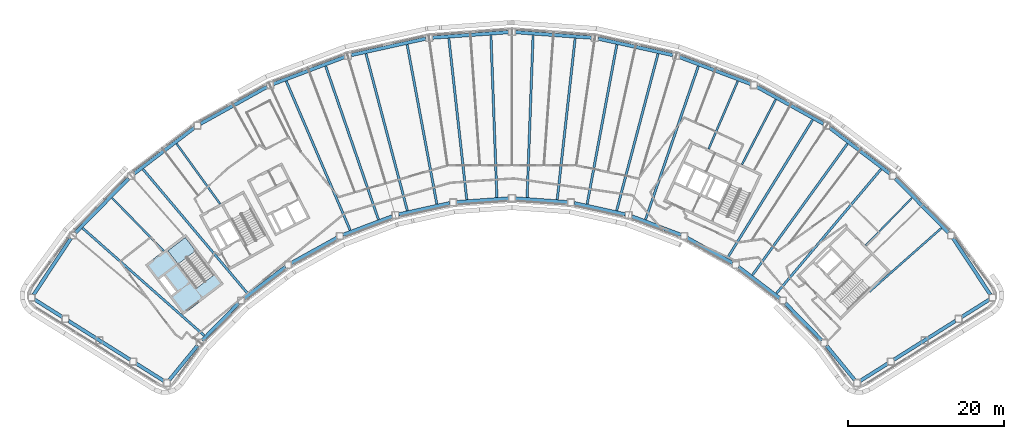
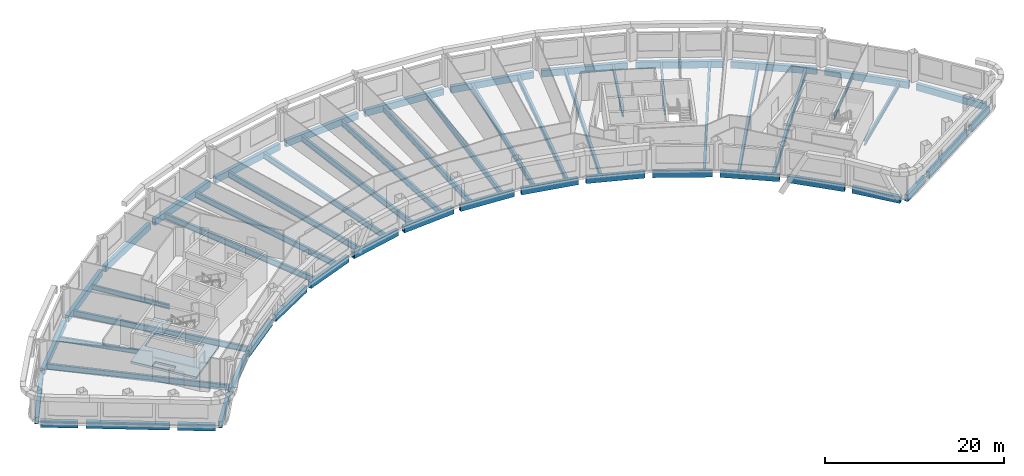
# One storey, part 3 of 14: 56 beams, 2 slabs, 1 element without a shape of its own.
"""IFC4 building model written with IfcOpenShell, lengths in metres."""

from ifc_helpers import new_model, si_unit, direction, frame, origin, origin_2d, place, context, subcontext, project, spatial, polyline, hollow_rectangle, i_section, outline, extrude, material, layer, layer_set, material_profile, profile_set, type_object, element, aggregate, save


model = new_model("IFC4")

# Units and contexts
model_context = context("Model", 3, precision=1e-05, world=origin(), true_north=direction((0.0, 1.0)))
body_context = subcontext(model_context, "Body", "Model", "MODEL_VIEW")
ifc_project = project(units=[si_unit("LENGTHUNIT", "METRE"), si_unit("AREAUNIT", "SQUARE_METRE"), si_unit("VOLUMEUNIT", "CUBIC_METRE"), si_unit("PLANEANGLEUNIT", "RADIAN"), si_unit("MASSUNIT", "GRAM", prefix="KILO")], contexts=[model_context])

# Site, building, storey
site_placement = place(None, origin())
site = spatial("IfcSite", under=ifc_project, at=site_placement, CompositionType="ELEMENT")
building_placement = place(site_placement, origin())
building = spatial("IfcBuilding", under=site, at=building_placement, Name="Tuul Gate Civic Tower", CompositionType="ELEMENT")
storey_placement = place(building_placement, frame((0.0, 0.0, 213.699951171875)))
storey = spatial("IfcBuildingStorey", under=building, at=storey_placement, Name="Level 48", CompositionType="ELEMENT", Elevation=213.699951171875)

# Beams
ifc_material_1 = material(Name="Steel S355", Category="steel")
ifc_material_profile_1 = material_profile(ifc_material_1, i_section(OverallWidth=0.199951171875, OverallDepth=0.5, WebThickness=0.010009765625, FlangeThickness=0.01611328125, at=origin_2d()), Name="PG500x200x10x16")
ifc_profile_set_1 = profile_set([ifc_material_profile_1], Name="Steel S355")
beam_type_1 = type_object("IfcBeamType", Name="STR-FLOOR BEAM-PG500x200x10x16", PredefinedType="BEAM", material=ifc_profile_set_1)
beam_1_placement = place(storey_placement, frame((51.3310546875, -8.854248046875, -0.550048828125), z_axis=(0.698691017766, 0.715423554052, 0.0), x_axis=(-0.715423554052, 0.698691017766, 0.0)))
element("IfcBeam", 1, at=beam_1_placement, inside=storey, type_object=beam_type_1, Name="Floor beam", PredefinedType="BEAM", context=body_context, shape_type="SweptSolid", body=[
    extrude(i_section(OverallWidth=0.199951171875, OverallDepth=0.5, WebThickness=0.010009765625, FlangeThickness=0.01611328125, at=origin_2d()), origin(), (0.0, 0.0, 1.0), 8.50634765625),
])
ifc_material_2 = material(Name="Steel S355", Category="steel")
ifc_material_profile_2 = material_profile(ifc_material_2, i_section(OverallWidth=0.25, OverallDepth=0.64990234375, WebThickness=0.011962890625, FlangeThickness=0.02001953125, at=origin_2d()), Name="PG650x250x12x20")
ifc_profile_set_2 = profile_set([ifc_material_profile_2], Name="Steel S355")
beam_type_2 = type_object("IfcBeamType", Name="STR-FLOOR BEAM-PG650x250x12x20", PredefinedType="BEAM", material=ifc_profile_set_2)
beam_2_placement = place(storey_placement, frame((51.833740234375, -14.790771484375, -0.625), z_axis=(0.749448461943, 0.662062688037, 0.0), x_axis=(-0.662062688037, 0.749448461943, 0.0)))
element("IfcBeam", 2, at=beam_2_placement, inside=storey, type_object=beam_type_2, Name="Floor beam", PredefinedType="BEAM", context=body_context, shape_type="SweptSolid", body=[
    extrude(i_section(OverallWidth=0.25, OverallDepth=0.64990234375, WebThickness=0.011962890625, FlangeThickness=0.02001953125, at=origin_2d()), origin(), (0.0, 0.0, 1.0), 12.31787109375),
])
beam_3_placement = place(storey_placement, frame((35.4609375, 1.528564453125, -0.625), z_axis=(0.460792486789, 0.887507906511, 0.0), x_axis=(-0.887507906511, 0.460792486789, 0.0)))
element("IfcBeam", 3, at=beam_3_placement, inside=storey, type_object=beam_type_2, Name="Floor beam", PredefinedType="BEAM", context=body_context, shape_type="SweptSolid", body=[
    extrude(i_section(OverallWidth=0.25, OverallDepth=0.64990234375, WebThickness=0.011962890625, FlangeThickness=0.02001953125, at=origin_2d()), origin(), (0.0, 0.0, 1.0), 9.4140625),
])
beam_4_placement = place(storey_placement, frame((31.184814453125, 3.5224609375, -0.625), z_axis=(0.394202008704, 0.919023817066, 0.0), x_axis=(-0.919023817066, 0.394202008704, 0.0)))
element("IfcBeam", 4, at=beam_4_placement, inside=storey, type_object=beam_type_2, Name="Floor beam", PredefinedType="BEAM", context=body_context, shape_type="SweptSolid", body=[
    extrude(i_section(OverallWidth=0.25, OverallDepth=0.64990234375, WebThickness=0.011962890625, FlangeThickness=0.02001953125, at=origin_2d()), origin(), (0.0, 0.0, 1.0), 9.48388671875),
])
beam_5_placement = place(storey_placement, frame((-31.535888671875, -3.523193359375, -0.625), z_axis=(-0.586084023539, 0.810250280686, 0.0), x_axis=(-0.810250280686, -0.586084023539, 0.0)))
element("IfcBeam", 5, at=beam_5_placement, inside=storey, type_object=beam_type_2, Name="Floor beam", PredefinedType="BEAM", context=body_context, shape_type="SweptSolid", body=[
    extrude(i_section(OverallWidth=0.25, OverallDepth=0.64990234375, WebThickness=0.011962890625, FlangeThickness=0.02001953125, at=origin_2d()), origin(), (0.0, 0.0, 1.0), 9.53515625),
])
beam_6_placement = place(storey_placement, frame((-38.757568359375, -9.564697265625, -0.625), z_axis=(-0.698678959674, 0.715435329928, 0.0), x_axis=(-0.715435329928, -0.698678959674, 0.0)))
element("IfcBeam", 6, at=beam_6_placement, inside=storey, type_object=beam_type_2, Name="Floor beam", PredefinedType="BEAM", context=body_context, shape_type="SweptSolid", body=[
    extrude(i_section(OverallWidth=0.25, OverallDepth=0.64990234375, WebThickness=0.011962890625, FlangeThickness=0.02001953125, at=origin_2d()), origin(), (0.0, 0.0, 1.0), 9.499755859375),
])
ifc_material_3 = material(Name="Steel S355", Category="steel")
ifc_material_profile_3 = material_profile(ifc_material_3, i_section(OverallWidth=0.300048828125, OverallDepth=0.800048828125, WebThickness=0.013916015625, FlangeThickness=0.02490234375, at=origin_2d()), Name="PG800x300x14x25")
ifc_profile_set_3 = profile_set([ifc_material_profile_3], Name="Steel S355")
beam_type_3 = type_object("IfcBeamType", Name="STR-FLOOR BEAM-PG800x300x14x25", PredefinedType="BEAM", material=ifc_profile_set_3)
beam_7_placement = place(storey_placement, frame((39.8974609375, -15.008056640625, -0.699951171875), z_axis=(0.644132135775, 0.764914238109, 0.0), x_axis=(-0.764914238109, 0.644132135775, 0.0)))
element("IfcBeam", 7, at=beam_7_placement, inside=storey, type_object=beam_type_3, Name="Floor beam", PredefinedType="BEAM", context=body_context, shape_type="SweptSolid", body=[
    extrude(i_section(OverallWidth=0.300048828125, OverallDepth=0.800048828125, WebThickness=0.013916015625, FlangeThickness=0.02490234375, at=origin_2d()), origin(), (0.0, 0.0, 1.0), 20.82568359375),
])
beam_8_placement = place(storey_placement, frame((36.80908203125, -12.656494140625, -0.699951171875), z_axis=(0.586087172263, 0.810248003089, 0.0), x_axis=(-0.810248003089, 0.586087172263, 0.0)))
element("IfcBeam", 8, at=beam_8_placement, inside=storey, type_object=beam_type_3, Name="Floor beam", PredefinedType="BEAM", context=body_context, shape_type="SweptSolid", body=[
    extrude(i_section(OverallWidth=0.300048828125, OverallDepth=0.800048828125, WebThickness=0.013916015625, FlangeThickness=0.02490234375, at=origin_2d()), origin(), (0.0, 0.0, 1.0), 20.806884765625),
])
beam_9_placement = place(storey_placement, frame((33.605712890625, -10.46533203125, -0.699951171875), z_axis=(0.524856706834, 0.851190599861, 0.0), x_axis=(-0.851190599861, 0.524856706834, 0.0)))
element("IfcBeam", 9, at=beam_9_placement, inside=storey, type_object=beam_type_3, Name="Floor beam", PredefinedType="BEAM", context=body_context, shape_type="SweptSolid", body=[
    extrude(i_section(OverallWidth=0.300048828125, OverallDepth=0.800048828125, WebThickness=0.013916015625, FlangeThickness=0.02490234375, at=origin_2d()), origin(), (0.0, 0.0, 1.0), 20.82275390625),
])
beam_10_placement = place(storey_placement, frame((23.0859375, -5.52294921875, -0.699951171875), z_axis=(0.325486974479, 0.945546524209, 0.0), x_axis=(-0.945546524209, 0.325486974479, 0.0)))
element("IfcBeam", 10, at=beam_10_placement, inside=storey, type_object=beam_type_3, Name="Floor beam", PredefinedType="BEAM", context=body_context, shape_type="SweptSolid", body=[
    extrude(i_section(OverallWidth=0.300048828125, OverallDepth=0.800048828125, WebThickness=0.013916015625, FlangeThickness=0.02490234375, at=origin_2d()), origin(), (0.0, 0.0, 1.0), 20.809326171875),
])
beam_11_placement = place(storey_placement, frame((19.37841796875, -4.3759765625, -0.699951171875), z_axis=(0.255007612054, 0.966939045542, 0.0), x_axis=(-0.966939045542, 0.255007612054, 0.0)))
element("IfcBeam", 11, at=beam_11_placement, inside=storey, type_object=beam_type_3, Name="Floor beam", PredefinedType="BEAM", context=body_context, shape_type="SweptSolid", body=[
    extrude(i_section(OverallWidth=0.300048828125, OverallDepth=0.800048828125, WebThickness=0.013916015625, FlangeThickness=0.02490234375, at=origin_2d()), origin(), (0.0, 0.0, 1.0), 20.8173828125),
])
beam_12_placement = place(storey_placement, frame((15.58837890625, -3.540771484375, -0.699951171875), z_axis=(0.1831360046, 0.983087587054, 0.0), x_axis=(-0.983087587054, 0.1831360046, 0.0)))
element("IfcBeam", 12, at=beam_12_placement, inside=storey, type_object=beam_type_3, Name="Floor beam", PredefinedType="BEAM", context=body_context, shape_type="SweptSolid", body=[
    extrude(i_section(OverallWidth=0.300048828125, OverallDepth=0.800048828125, WebThickness=0.013916015625, FlangeThickness=0.02490234375, at=origin_2d()), origin(), (0.0, 0.0, 1.0), 20.811279296875),
])
beam_13_placement = place(storey_placement, frame((11.7509765625, -2.960693359375, -0.699951171875), z_axis=(0.110288630292, 0.993899601584, 0.0), x_axis=(-0.993899601584, 0.110288630292, 0.0)))
element("IfcBeam", 13, at=beam_13_placement, inside=storey, type_object=beam_type_3, Name="Floor beam", PredefinedType="BEAM", context=body_context, shape_type="SweptSolid", body=[
    extrude(i_section(OverallWidth=0.300048828125, OverallDepth=0.800048828125, WebThickness=0.013916015625, FlangeThickness=0.02490234375, at=origin_2d()), origin(), (0.0, 0.0, 1.0), 20.81494140625),
])
for number, where, z_axis, x_axis, name in (
    (14, (7.880126953125, -2.679931640625, -0.699951171875), (0.036833774102, 0.999321406298, 0.0), (-0.999321406298, 0.036833774102, 0.0), "Floor beam"),
    (15, (3.99951171875, -2.679931640625, -0.699951171875), (-0.036833774102, 0.999321406298, 0.0), (-0.999321406298, -0.036833774102, 0.0), "Floor beam"),
):
    element("IfcBeam", number, at=place(storey_placement, frame(where, z_axis=z_axis, x_axis=x_axis)), inside=storey, type_object=beam_type_3, Name=name, PredefinedType="BEAM", context=body_context, shape_type="SweptSolid", body=[
        extrude(i_section(OverallWidth=0.300048828125, OverallDepth=0.800048828125, WebThickness=0.013916015625, FlangeThickness=0.02490234375, at=origin_2d()), origin(), (0.0, 0.0, 1.0), 20.8125),
    ])
beam_14_placement = place(storey_placement, frame((0.128662109375, -2.960693359375, -0.699951171875), z_axis=(-0.110287344613, 0.993899744249, 0.0), x_axis=(-0.993899744249, -0.110287344613, 0.0)))
element("IfcBeam", 16, at=beam_14_placement, inside=storey, type_object=beam_type_3, Name="Floor beam", PredefinedType="BEAM", context=body_context, shape_type="SweptSolid", body=[
    extrude(i_section(OverallWidth=0.300048828125, OverallDepth=0.800048828125, WebThickness=0.013916015625, FlangeThickness=0.02490234375, at=origin_2d()), origin(), (0.0, 0.0, 1.0), 20.815185546875),
])
beam_15_placement = place(storey_placement, frame((-3.708740234375, -3.540771484375, -0.699951171875), z_axis=(-0.183133892551, 0.983087980498, 0.0), x_axis=(-0.983087980498, -0.183133892551, 0.0)))
element("IfcBeam", 17, at=beam_15_placement, inside=storey, type_object=beam_type_3, Name="Floor beam", PredefinedType="BEAM", context=body_context, shape_type="SweptSolid", body=[
    extrude(i_section(OverallWidth=0.300048828125, OverallDepth=0.800048828125, WebThickness=0.013916015625, FlangeThickness=0.02490234375, at=origin_2d()), origin(), (0.0, 0.0, 1.0), 20.8115234375),
])
beam_16_placement = place(storey_placement, frame((-7.498779296875, -4.3759765625, -0.699951171875), z_axis=(-0.255004720301, 0.96693980817, 0.0), x_axis=(-0.96693980817, -0.255004720301, 0.0)))
element("IfcBeam", 18, at=beam_16_placement, inside=storey, type_object=beam_type_3, Name="Floor beam", PredefinedType="BEAM", context=body_context, shape_type="SweptSolid", body=[
    extrude(i_section(OverallWidth=0.300048828125, OverallDepth=0.800048828125, WebThickness=0.013916015625, FlangeThickness=0.02490234375, at=origin_2d()), origin(), (0.0, 0.0, 1.0), 20.817626953125),
])
beam_17_placement = place(storey_placement, frame((-11.20654296875, -5.522705078125, -0.699951171875), z_axis=(-0.325476485131, 0.945550134909, 0.0), x_axis=(-0.945550134909, -0.325476485131, 0.0)))
element("IfcBeam", 19, at=beam_17_placement, inside=storey, type_object=beam_type_3, Name="Floor beam", PredefinedType="BEAM", context=body_context, shape_type="SweptSolid", body=[
    extrude(i_section(OverallWidth=0.300048828125, OverallDepth=0.800048828125, WebThickness=0.013916015625, FlangeThickness=0.02490234375, at=origin_2d()), origin(), (0.0, 0.0, 1.0), 20.809326171875),
])
beam_18_placement = place(storey_placement, frame((-14.836669921875, -6.895263671875, -0.699951171875), z_axis=(-0.394196672068, 0.91902610612, 0.0), x_axis=(-0.91902610612, -0.394196672068, 0.0)))
element("IfcBeam", 20, at=beam_18_placement, inside=storey, type_object=beam_type_3, Name="Floor beam", PredefinedType="BEAM", context=body_context, shape_type="SweptSolid", body=[
    extrude(i_section(OverallWidth=0.300048828125, OverallDepth=0.800048828125, WebThickness=0.013916015625, FlangeThickness=0.02490234375, at=origin_2d()), origin(), (0.0, 0.0, 1.0), 20.819580078125),
])
beam_19_placement = place(storey_placement, frame((-28.017822265625, -15.0078125, -0.699951171875), z_axis=(-0.644126359816, 0.764919101991, 0.0), x_axis=(-0.764919101991, -0.644126359816, 0.0)))
element("IfcBeam", 21, at=beam_19_placement, inside=storey, type_object=beam_type_3, Name="Floor beam", PredefinedType="BEAM", context=body_context, shape_type="SweptSolid", body=[
    extrude(i_section(OverallWidth=0.300048828125, OverallDepth=0.800048828125, WebThickness=0.013916015625, FlangeThickness=0.02490234375, at=origin_2d()), origin(), (0.0, 0.0, 1.0), 20.825927734375),
])
beam_20_placement = place(storey_placement, frame((-33.57568359375, -20.42529296875, -0.699951171875), z_axis=(-0.749447427269, 0.662063859277, 0.0), x_axis=(-0.662063859277, -0.749447427269, 0.0)))
element("IfcBeam", 22, at=beam_20_placement, inside=storey, type_object=beam_type_3, Name="Floor beam", PredefinedType="BEAM", context=body_context, shape_type="SweptSolid", body=[
    extrude(i_section(OverallWidth=0.300048828125, OverallDepth=0.800048828125, WebThickness=0.013916015625, FlangeThickness=0.02490234375, at=origin_2d()), origin(), (0.0, 0.0, 1.0), 20.82861328125),
])
ifc_material_4 = material(Name="Steel S355", Category="steel")
ifc_material_profile_4 = material_profile(ifc_material_4, hollow_rectangle(XDim=0.449951171875, YDim=0.89990234375, WallThickness=0.02490234375, at=origin_2d()), Name="BOX900x450x25")
ifc_profile_set_4 = profile_set([ifc_material_profile_4], Name="Steel S355")
beam_type_4 = type_object("IfcBeamType", Name="STR-SPANDREL BEAM-BOX900x450x25", PredefinedType="BEAM", material=ifc_profile_set_4)
beam_21_placement = place(storey_placement, frame((67.36279296875, -15.187744140625, -0.75), z_axis=(-0.551583824499, 0.834119466594, 0.0), x_axis=(-0.834119466594, -0.551583824499, 0.0)))
element("IfcBeam", 23, at=beam_21_placement, inside=storey, type_object=beam_type_4, Name="Spandrel beam", PredefinedType="BEAM", context=body_context, shape_type="SweptSolid", body=[
    extrude(hollow_rectangle(XDim=0.449951171875, YDim=0.89990234375, WallThickness=0.02490234375, at=origin_2d()), origin(), (0.0, 0.0, 1.0), 8.706787109375),
])
beam_22_placement = place(storey_placement, frame((61.9970703125, -7.228759765625, -0.75), z_axis=(-0.700043201451, 0.7141004944, 0.0), x_axis=(-0.7141004944, -0.700043201451, 0.0)))
element("IfcBeam", 24, at=beam_22_placement, inside=storey, type_object=beam_type_4, Name="Spandrel beam", PredefinedType="BEAM", context=body_context, shape_type="SweptSolid", body=[
    extrude(hollow_rectangle(XDim=0.449951171875, YDim=0.89990234375, WallThickness=0.02490234375, at=origin_2d()), origin(), (0.0, 0.0, 1.0), 9.77783203125),
])
beam_23_placement = place(storey_placement, frame((54.47900390625, 0.34765625, -0.75), z_axis=(-0.795631153365, 0.605781369634, 0.0), x_axis=(-0.605781369634, -0.795631153365, 0.0)))
element("IfcBeam", 25, at=beam_23_placement, inside=storey, type_object=beam_type_4, Name="Spandrel beam", PredefinedType="BEAM", context=body_context, shape_type="SweptSolid", body=[
    extrude(hollow_rectangle(XDim=0.449951171875, YDim=0.89990234375, WallThickness=0.02490234375, at=origin_2d()), origin(), (0.0, 0.0, 1.0), 9.777099609375),
])
beam_24_placement = place(storey_placement, frame((45.948486328125, 6.76123046875, -0.75), z_axis=(-0.874650322207, 0.48475438509, 0.0), x_axis=(-0.48475438509, -0.874650322207, 0.0)))
element("IfcBeam", 26, at=beam_24_placement, inside=storey, type_object=beam_type_4, Name="Spandrel beam", PredefinedType="BEAM", context=body_context, shape_type="SweptSolid", body=[
    extrude(hollow_rectangle(XDim=0.449951171875, YDim=0.89990234375, WallThickness=0.02490234375, at=origin_2d()), origin(), (0.0, 0.0, 1.0), 9.777587890625),
])
for number, where, z_axis, x_axis, name in (
    (27, (36.58203125, 11.878173828125, -0.75), (-0.935338294107, 0.353754541423, 0.0), (-0.353754541423, -0.935338294107, 0.0), "Spandrel beam"),
    (28, (26.57666015625, 15.5927734375, -0.75), (-0.976560449923, 0.215243321955, 0.0), (-0.215243321955, -0.976560449923, 0.0), "Spandrel beam"),
):
    element("IfcBeam", number, at=place(storey_placement, frame(where, z_axis=z_axis, x_axis=x_axis)), inside=storey, type_object=beam_type_4, Name=name, PredefinedType="BEAM", context=body_context, shape_type="SweptSolid", body=[
        extrude(hollow_rectangle(XDim=0.449951171875, YDim=0.89990234375, WallThickness=0.02490234375, at=origin_2d()), origin(), (0.0, 0.0, 1.0), 9.77734375),
    ])
beam_25_placement = place(storey_placement, frame((16.14013671875, 17.826416015625, -0.75), z_axis=(-0.997388890217, 0.072217737926, 0.0), x_axis=(-0.072217737926, -0.997388890217, 0.0)))
element("IfcBeam", 29, at=beam_25_placement, inside=storey, type_object=beam_type_4, Name="Spandrel beam", PredefinedType="BEAM", context=body_context, shape_type="SweptSolid", body=[
    extrude(hollow_rectangle(XDim=0.449951171875, YDim=0.89990234375, WallThickness=0.02490234375, at=origin_2d()), origin(), (0.0, 0.0, 1.0), 9.77685546875),
])
beam_26_placement = place(storey_placement, frame((5.4912109375, 18.532470703125, -0.75), z_axis=(-0.997389541279, -0.072208745641, 0.0), x_axis=(0.072208745641, -0.997389541279, 0.0)))
element("IfcBeam", 30, at=beam_26_placement, inside=storey, type_object=beam_type_4, Name="Spandrel beam", PredefinedType="BEAM", context=body_context, shape_type="SweptSolid", body=[
    extrude(hollow_rectangle(XDim=0.449951171875, YDim=0.89990234375, WallThickness=0.02490234375, at=origin_2d()), origin(), (0.0, 0.0, 1.0), 9.778076171875),
])
for number, where, z_axis, x_axis, name in (
    (31, (-5.1494140625, 17.697265625, -0.75), (-0.976560449923, -0.215243321955, 0.0), (0.215243321955, -0.976560449923, 0.0), "Spandrel beam"),
    (32, (-15.557861328125, 15.3369140625, -0.75), (-0.93534141884, -0.353746279418, 0.0), (0.353746279418, -0.93534141884, 0.0), "Spandrel beam"),
    (33, (-25.517578125, 11.5009765625, -0.75), (-0.874644454553, -0.484764972042, 0.0), (0.484764972042, -0.874644454553, 0.0), "Spandrel beam"),
):
    element("IfcBeam", number, at=place(storey_placement, frame(where, z_axis=z_axis, x_axis=x_axis)), inside=storey, type_object=beam_type_4, Name=name, PredefinedType="BEAM", context=body_context, shape_type="SweptSolid", body=[
        extrude(hollow_rectangle(XDim=0.449951171875, YDim=0.89990234375, WallThickness=0.02490234375, at=origin_2d()), origin(), (0.0, 0.0, 1.0), 9.77734375),
    ])
for number, where, z_axis, x_axis, name in (
    (34, (-34.821044921875, 6.2705078125, -0.75), (-0.795621989686, -0.605793404989, 0.0), (0.605793404989, -0.795621989686, 0.0), "Spandrel beam"),
    (35, (-43.27294921875, -0.246337890625, -0.75), (-0.700004749071, -0.714138187803, 0.0), (0.714138187803, -0.700004749071, 0.0), "Spandrel beam"),
):
    element("IfcBeam", number, at=place(storey_placement, frame(where, z_axis=z_axis, x_axis=x_axis)), inside=storey, type_object=beam_type_4, Name=name, PredefinedType="BEAM", context=body_context, shape_type="SweptSolid", body=[
        extrude(hollow_rectangle(XDim=0.449951171875, YDim=0.89990234375, WallThickness=0.02490234375, at=origin_2d()), origin(), (0.0, 0.0, 1.0), 9.777099609375),
    ])
beam_27_placement = place(storey_placement, frame((-50.68017578125, -7.92529296875, -0.75), z_axis=(-0.551583824499, -0.834119466594, 0.0), x_axis=(0.834119466594, -0.551583824499, 0.0)))
element("IfcBeam", 36, at=beam_27_placement, inside=storey, type_object=beam_type_4, Name="Spandrel beam", PredefinedType="BEAM", context=body_context, shape_type="SweptSolid", body=[
    extrude(hollow_rectangle(XDim=0.449951171875, YDim=0.89990234375, WallThickness=0.02490234375, at=origin_2d()), origin(), (0.0, 0.0, 1.0), 8.706787109375),
])
beam_28_placement = place(storey_placement, frame((-55.35009765625, -15.802734375, -0.75), z_axis=(0.846220312891, -0.532833165307, 0.0), x_axis=(0.532833165307, 0.846220312891, 0.0)))
element("IfcBeam", 37, at=beam_28_placement, inside=storey, type_object=beam_type_4, Name="Spandrel beam", PredefinedType="BEAM", context=body_context, shape_type="SweptSolid", body=[
    extrude(hollow_rectangle(XDim=0.449951171875, YDim=0.89990234375, WallThickness=0.02490234375, at=origin_2d()), origin(), (0.0, 0.0, 1.0), 4.23095703125),
])
beam_29_placement = place(storey_placement, frame((-51.00830078125, -18.536865234375, -0.75), z_axis=(0.84616970281, -0.532913533367, 0.0), x_axis=(0.532913533367, 0.84616970281, 0.0)))
element("IfcBeam", 38, at=beam_29_placement, inside=storey, type_object=beam_type_4, Name="Spandrel beam", PredefinedType="BEAM", context=body_context, shape_type="SweptSolid", body=[
    extrude(hollow_rectangle(XDim=0.449951171875, YDim=0.89990234375, WallThickness=0.02490234375, at=origin_2d()), origin(), (0.0, 0.0, 1.0), 9.364013671875),
])
beam_30_placement = place(storey_placement, frame((-42.3232421875, -24.0068359375, -0.75), z_axis=(0.846285824254, -0.532729109085, 0.0), x_axis=(0.532729109085, 0.846285824254, 0.0)))
element("IfcBeam", 39, at=beam_30_placement, inside=storey, type_object=beam_type_4, Name="Spandrel beam", PredefinedType="BEAM", context=body_context, shape_type="SweptSolid", body=[
    extrude(hollow_rectangle(XDim=0.449951171875, YDim=0.89990234375, WallThickness=0.02490234375, at=origin_2d()), origin(), (0.0, 0.0, 1.0), 4.231689453125),
])
beam_31_placement = place(storey_placement, frame((-38.075439453125, -26.153076171875, -0.75), z_axis=(0.634388157307, 0.773014660837, 0.0), x_axis=(-0.773014660837, 0.634388157307, 0.0)))
element("IfcBeam", 40, at=beam_31_placement, inside=storey, type_object=beam_type_4, Name="Spandrel beam", PredefinedType="BEAM", context=body_context, shape_type="SweptSolid", body=[
    extrude(hollow_rectangle(XDim=0.449951171875, YDim=0.89990234375, WallThickness=0.02490234375, at=origin_2d()), origin(), (0.0, 0.0, 1.0), 5.751953125),
])
beam_32_placement = place(storey_placement, frame((-33.825927734375, -21.03759765625, -0.75), z_axis=(0.700011215993, 0.71413184881, 0.0), x_axis=(-0.71413184881, 0.700011215993, 0.0)))
element("IfcBeam", 41, at=beam_32_placement, inside=storey, type_object=beam_type_4, Name="Spandrel beam", PredefinedType="BEAM", context=body_context, shape_type="SweptSolid", body=[
    extrude(hollow_rectangle(XDim=0.449951171875, YDim=0.89990234375, WallThickness=0.02490234375, at=origin_2d()), origin(), (0.0, 0.0, 1.0), 6.691162109375),
])
beam_33_placement = place(storey_placement, frame((-28.468994140625, -15.665283203125, -0.75), z_axis=(0.795622636526, 0.605792555458, 0.0), x_axis=(-0.605792555458, 0.795622636526, 0.0)))
element("IfcBeam", 42, at=beam_33_placement, inside=storey, type_object=beam_type_4, Name="Spandrel beam", PredefinedType="BEAM", context=body_context, shape_type="SweptSolid", body=[
    extrude(hollow_rectangle(XDim=0.449951171875, YDim=0.89990234375, WallThickness=0.02490234375, at=origin_2d()), origin(), (0.0, 0.0, 1.0), 6.691650390625),
])
beam_34_placement = place(storey_placement, frame((-22.393310546875, -11.120849609375, -0.75), z_axis=(0.874595742166, 0.484852851683, 0.0), x_axis=(-0.484852851683, 0.874595742166, 0.0)))
element("IfcBeam", 43, at=beam_34_placement, inside=storey, type_object=beam_type_4, Name="Spandrel beam", PredefinedType="BEAM", context=body_context, shape_type="SweptSolid", body=[
    extrude(hollow_rectangle(XDim=0.449951171875, YDim=0.89990234375, WallThickness=0.02490234375, at=origin_2d()), origin(), (0.0, 0.0, 1.0), 6.69189453125),
])
beam_35_placement = place(storey_placement, frame((-15.72607421875, -7.498779296875, -0.75), z_axis=(0.935369130225, 0.353672999001, 0.0), x_axis=(-0.353672999001, 0.935369130225, 0.0)))
element("IfcBeam", 44, at=beam_35_placement, inside=storey, type_object=beam_type_4, Name="Spandrel beam", PredefinedType="BEAM", context=body_context, shape_type="SweptSolid", body=[
    extrude(hollow_rectangle(XDim=0.449951171875, YDim=0.89990234375, WallThickness=0.02490234375, at=origin_2d()), origin(), (0.0, 0.0, 1.0), 6.691650390625),
])
for number, where, z_axis, x_axis, name in (
    (45, (-8.6064453125, -4.876220703125, -0.75), (0.976558183094, 0.215253606316, 0.0), (-0.215253606316, 0.976558183094, 0.0), "Spandrel beam"),
    (46, (-1.18310546875, -3.306396484375, -0.75), (0.997382203544, 0.07231002734, 0.0), (-0.07231002734, 0.997382203544, 0.0), "Spandrel beam"),
    (47, (6.388916015625, -2.822509765625, -0.75), (0.997382203544, -0.07231002734, 0.0), (0.07231002734, 0.997382203544, 0.0), "Spandrel beam"),
):
    element("IfcBeam", number, at=place(storey_placement, frame(where, z_axis=z_axis, x_axis=x_axis)), inside=storey, type_object=beam_type_4, Name=name, PredefinedType="BEAM", context=body_context, shape_type="SweptSolid", body=[
        extrude(hollow_rectangle(XDim=0.449951171875, YDim=0.89990234375, WallThickness=0.02490234375, at=origin_2d()), origin(), (0.0, 0.0, 1.0), 6.69189453125),
    ])
beam_36_placement = place(storey_placement, frame((13.951416015625, -3.435791015625, -0.75), z_axis=(0.976553110966, -0.215276616152, 0.0), x_axis=(0.215276616152, 0.976553110966, 0.0)))
element("IfcBeam", 48, at=beam_36_placement, inside=storey, type_object=beam_type_4, Name="Spandrel beam", PredefinedType="BEAM", context=body_context, shape_type="SweptSolid", body=[
    extrude(hollow_rectangle(XDim=0.449951171875, YDim=0.89990234375, WallThickness=0.02490234375, at=origin_2d()), origin(), (0.0, 0.0, 1.0), 6.691162109375),
])
beam_37_placement = place(storey_placement, frame((21.345947265625, -5.132080078125, -0.75), z_axis=(0.935364566442, -0.353685068732, 0.0), x_axis=(0.353685068732, 0.935364566442, 0.0)))
element("IfcBeam", 49, at=beam_37_placement, inside=storey, type_object=beam_type_4, Name="Spandrel beam", PredefinedType="BEAM", context=body_context, shape_type="SweptSolid", body=[
    extrude(hollow_rectangle(XDim=0.449951171875, YDim=0.89990234375, WallThickness=0.02490234375, at=origin_2d()), origin(), (0.0, 0.0, 1.0), 6.691650390625),
])
beam_38_placement = place(storey_placement, frame((28.419677734375, -7.876220703125, -0.75), z_axis=(0.874595742166, -0.484852851683, 0.0), x_axis=(0.484852851683, 0.874595742166, 0.0)))
element("IfcBeam", 50, at=beam_38_placement, inside=storey, type_object=beam_type_4, Name="Spandrel beam", PredefinedType="BEAM", context=body_context, shape_type="SweptSolid", body=[
    extrude(hollow_rectangle(XDim=0.449951171875, YDim=0.89990234375, WallThickness=0.02490234375, at=origin_2d()), origin(), (0.0, 0.0, 1.0), 6.69189453125),
])
beam_39_placement = place(storey_placement, frame((35.02392578125, -11.611572265625, -0.75), z_axis=(0.795622636526, -0.605792555458, 0.0), x_axis=(0.605792555458, 0.795622636526, 0.0)))
element("IfcBeam", 51, at=beam_39_placement, inside=storey, type_object=beam_type_4, Name="Spandrel beam", PredefinedType="BEAM", context=body_context, shape_type="SweptSolid", body=[
    extrude(hollow_rectangle(XDim=0.449951171875, YDim=0.89990234375, WallThickness=0.02490234375, at=origin_2d()), origin(), (0.0, 0.0, 1.0), 6.691650390625),
])
beam_40_placement = place(storey_placement, frame((41.02099609375, -16.25927734375, -0.75), z_axis=(0.700104238237, -0.714040654027, 0.0), x_axis=(0.714040654027, 0.700104238237, 0.0)))
element("IfcBeam", 52, at=beam_40_placement, inside=storey, type_object=beam_type_4, Name="Spandrel beam", PredefinedType="BEAM", context=body_context, shape_type="SweptSolid", body=[
    extrude(hollow_rectangle(XDim=0.449951171875, YDim=0.89990234375, WallThickness=0.02490234375, at=origin_2d()), origin(), (0.0, 0.0, 1.0), 6.69189453125),
])
beam_41_placement = place(storey_placement, frame((46.306396484375, -21.706787109375, -0.75), z_axis=(0.63441351957, -0.772993846151, 0.0), x_axis=(0.772993846151, 0.63441351957, 0.0)))
element("IfcBeam", 53, at=beam_41_placement, inside=storey, type_object=beam_type_4, Name="Spandrel beam", PredefinedType="BEAM", context=body_context, shape_type="SweptSolid", body=[
    extrude(hollow_rectangle(XDim=0.449951171875, YDim=0.89990234375, WallThickness=0.02490234375, at=origin_2d()), origin(), (0.0, 0.0, 1.0), 5.751953125),
])
beam_42_placement = place(storey_placement, frame((50.621826171875, -26.26123046875, -0.75), z_axis=(0.846220312891, 0.532833165307, 0.0), x_axis=(-0.532833165307, 0.846220312891, 0.0)))
element("IfcBeam", 54, at=beam_42_placement, inside=storey, type_object=beam_type_4, Name="Spandrel beam", PredefinedType="BEAM", context=body_context, shape_type="SweptSolid", body=[
    extrude(hollow_rectangle(XDim=0.449951171875, YDim=0.89990234375, WallThickness=0.02490234375, at=origin_2d()), origin(), (0.0, 0.0, 1.0), 4.23095703125),
])
beam_43_placement = place(storey_placement, frame((54.9638671875, -23.527099609375, -0.75), z_axis=(0.846162298174, 0.532925290401, 0.0), x_axis=(-0.532925290401, 0.846162298174, 0.0)))
element("IfcBeam", 55, at=beam_43_placement, inside=storey, type_object=beam_type_4, Name="Spandrel beam", PredefinedType="BEAM", context=body_context, shape_type="SweptSolid", body=[
    extrude(hollow_rectangle(XDim=0.449951171875, YDim=0.89990234375, WallThickness=0.02490234375, at=origin_2d()), origin(), (0.0, 0.0, 1.0), 9.36376953125),
])
beam_44_placement = place(storey_placement, frame((63.64892578125, -18.057373046875, -0.75), z_axis=(0.846259814063, 0.532770426264, 0.0), x_axis=(-0.532770426264, 0.846259814063, 0.0)))
element("IfcBeam", 56, at=beam_44_placement, inside=storey, type_object=beam_type_4, Name="Spandrel beam", PredefinedType="BEAM", context=body_context, shape_type="SweptSolid", body=[
    extrude(hollow_rectangle(XDim=0.449951171875, YDim=0.89990234375, WallThickness=0.02490234375, at=origin_2d()), origin(), (0.0, 0.0, 1.0), 4.23193359375),
])

# Slab
ifc_material_5 = material(Name="Concrete C40/50", Category="concrete")
ifc_layer_1 = layer(ifc_material_5, 0.300048828125)
ifc_layer_set_1 = layer_set([ifc_layer_1], Name="Concrete C40/50")
slab_type_1 = type_object("IfcSlabType", Name="Core floor slab 300", PredefinedType="FLOOR", material=ifc_layer_set_1)
slab_1_placement = place(storey_placement, frame((0.0, 0.0, -0.300048828125)))
element("IfcSlab", 57, at=slab_1_placement, inside=storey, type_object=slab_type_1, Name="FLOOR SLAB", PredefinedType="FLOOR", context=body_context, shape_type="SweptSolid", body=[
    extrude(outline(polyline([(-31.10009765625, -13.7890625), (-35.946044921875, -7.423828125), (-41.11767578125, -11.361572265625), (-36.271484375, -17.726806640625), (-31.10009765625, -13.7890625)]), holes=[polyline([(-37.19287109375, -14.783203125), (-38.737548828125, -12.75439453125), (-39.45361328125, -13.299560546875), (-37.908935546875, -15.328369140625), (-37.19287109375, -14.783203125)]), polyline([(-32.33935546875, -12.65771484375), (-34.56591796875, -14.352783203125), (-38.229736328125, -9.54052734375), (-36.003173828125, -7.845458984375), (-32.33935546875, -12.65771484375)])]), origin(), (0.0, 0.0, 1.0), 0.300048828125),
])

# Stair, slab
ifc_material_6 = material(Name="Concrete C40/50", Category="concrete")
stair_type = type_object("IfcStairType", Name="Exit stair", PredefinedType="HALF_TURN_STAIR", material=ifc_material_6)
stair_placement = place(storey_placement, origin())
stair = element("IfcStair", 58, at=stair_placement, inside=storey, type_object=stair_type, Name="Level 48 ST-1", PredefinedType="HALF_TURN_STAIR")
ifc_material_7 = material(Name="Concrete C40/50", Category="concrete")
ifc_layer_2 = layer(ifc_material_7, 0.199951171875)
ifc_layer_set_2 = layer_set([ifc_layer_2], Name="Concrete C40/50")
slab_type_2 = type_object("IfcSlabType", Name="Exit stair landing", PredefinedType="LANDING", material=ifc_layer_set_2)
slab_2_placement = place(storey_placement, frame((0.0, 0.0, 1.900146484375)))
slab_2 = element("IfcSlab", 59, at=slab_2_placement, type_object=slab_type_2, Name="ST-1 landing 1", PredefinedType="LANDING", context=body_context, shape_type="SweptSolid", body=[
    extrude(outline(polyline([(-34.699462890625, -9.554931640625), (-36.9287109375, -11.252197265625), (-38.23193359375, -9.540283203125), (-36.0029296875, -7.843017578125), (-34.699462890625, -9.554931640625)])), origin(), (0.0, 0.0, 1.0), 0.199951171875),
])
aggregate(stair, [slab_2])

save(model, "model.ifc")
